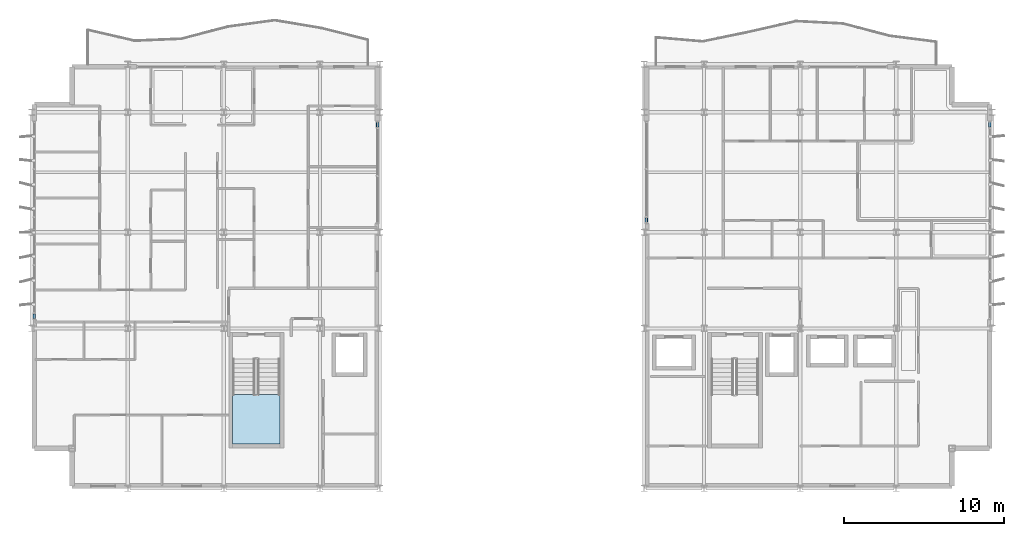
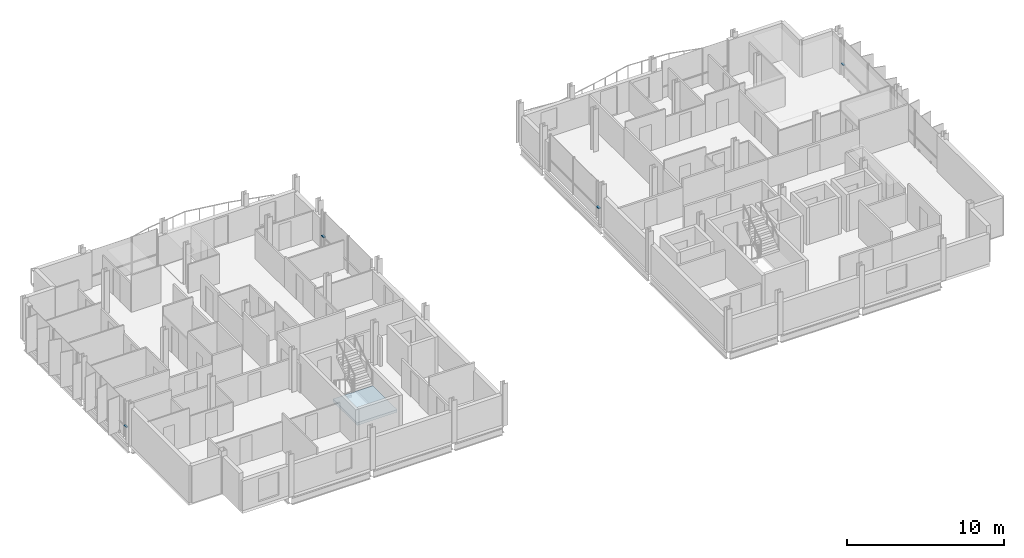
# One storey, part 15 of 30: 4 members, 1 slab, 5 elements without a shape of their own.
"""IFC4 building model written with IfcOpenShell, lengths in metres."""

from ifc_helpers import new_model, si_unit, direction, frame, origin, origin_2d, place, context, subcontext, project, spatial, polyline, hollow_rectangle, outline, extrude, material, layer, layer_set, material_profile, profile_set, type_object, element, aggregate, save


model = new_model("IFC4")

# Units and contexts
model_context = context("Model", 3, precision=1e-05, world=origin(), true_north=direction((0.0, 1.0)))
body_context = subcontext(model_context, "Body", "Model", "MODEL_VIEW")
ifc_project = project(units=[si_unit("LENGTHUNIT", "METRE"), si_unit("AREAUNIT", "SQUARE_METRE"), si_unit("VOLUMEUNIT", "CUBIC_METRE"), si_unit("PLANEANGLEUNIT", "RADIAN"), si_unit("MASSUNIT", "GRAM", prefix="KILO")], contexts=[model_context])

# Site, building, storey
site_placement = place(None, origin())
site = spatial("IfcSite", under=ifc_project, at=site_placement, CompositionType="ELEMENT")
building_placement = place(site_placement, origin())
building = spatial("IfcBuilding", under=site, at=building_placement, Name="Brevholm Reach", CompositionType="ELEMENT")
storey_placement = place(building_placement, frame((0.0, 0.0, 211.10009765625)))
storey = spatial("IfcBuildingStorey", under=building, at=storey_placement, Name="L64", CompositionType="ELEMENT", Elevation=211.10009765625)

# Curtain wall, member
ifc_material_1 = material(Name="Dark Anodised Aluminium 6063-T6 and Solar-Control Glass", Category="aluminium")
ifc_layer_1 = layer(ifc_material_1, 0.14990234375)
ifc_layer_set_1 = layer_set([ifc_layer_1], Name="Dark Anodised Aluminium 6063-T6 and Solar-Control Glass")
curtain_wall_type_1 = type_object("IfcCurtainWallType", Name="CW-01", PredefinedType="NOTDEFINED", material=ifc_layer_set_1)
curtain_wall_1_placement = place(storey_placement, origin())
curtain_wall_1 = element("IfcCurtainWall", 1, at=curtain_wall_1_placement, inside=storey, type_object=curtain_wall_type_1, Name="L64 Curtain Wall CW-01", PredefinedType="NOTDEFINED")
ifc_material_2 = material(Name="Dark Anodised Aluminium 6063-T6", Category="aluminium")
ifc_material_profile_1 = material_profile(ifc_material_2, hollow_rectangle(XDim=0.06494140625, YDim=0.14990234375, WallThickness=0.0048828125, InnerFilletRadius=0.0048828125, OuterFilletRadius=0.010009765625, at=origin_2d()), Name="RHS 150x65x5")
ifc_profile_set_1 = profile_set([ifc_material_profile_1], Name="Dark Anodised Aluminium 6063-T6")
member_type_1 = type_object("IfcMemberType", Name="CWT-150", PredefinedType="NOTDEFINED", material=ifc_profile_set_1)
member_1_placement = place(storey_placement, frame((0.14990234375, 10.91748046875, 0.89990234375), z_axis=(0.0, -1.0, 0.0), x_axis=(0.0, 0.0, 1.0)))
member_1 = element("IfcMember", 2, at=member_1_placement, type_object=member_type_1, Name="CT-150 Transom 5.1", ObjectType="TRANSOM", PredefinedType="USERDEFINED", context=body_context, shape_type="SweptSolid", body=[
    extrude(hollow_rectangle(XDim=0.06494140625, YDim=0.14990234375, WallThickness=0.0048828125, InnerFilletRadius=0.0048828125, OuterFilletRadius=0.010009765625, at=origin_2d()), origin(), (0.0, 0.0, 1.0), 0.302490234375),
])
aggregate(curtain_wall_1, [member_1])

curtain_wall_2_placement = place(storey_placement, origin())
curtain_wall_2 = element("IfcCurtainWall", 3, at=curtain_wall_2_placement, inside=storey, type_object=curtain_wall_type_1, Name="L64 Curtain Wall CW-01", PredefinedType="NOTDEFINED")
member_2_placement = place(storey_placement, frame((59.85009765625, 22.58251953125, 0.89990234375), z_axis=(0.0, 1.0, 0.0), x_axis=(0.0, 0.0, 1.0)))
member_2 = element("IfcMember", 4, at=member_2_placement, type_object=member_type_1, Name="CT-150 Transom 5.1", ObjectType="TRANSOM", PredefinedType="USERDEFINED", context=body_context, shape_type="SweptSolid", body=[
    extrude(hollow_rectangle(XDim=0.06494140625, YDim=0.14990234375, WallThickness=0.0048828125, InnerFilletRadius=0.0048828125, OuterFilletRadius=0.010009765625, at=origin_2d()), origin(), (0.0, 0.0, 1.0), 0.302490234375),
])
aggregate(curtain_wall_2, [member_2])

ifc_material_3 = material(Name="Dark Anodised Aluminium 6063-T6 and Solar-Control Glass", Category="aluminium")
ifc_layer_2 = layer(ifc_material_3, 0.1650390625)
ifc_layer_set_2 = layer_set([ifc_layer_2], Name="Dark Anodised Aluminium 6063-T6 and Solar-Control Glass")
curtain_wall_type_2 = type_object("IfcCurtainWallType", Name="CW-04", PredefinedType="NOTDEFINED", material=ifc_layer_set_2)
curtain_wall_3_placement = place(storey_placement, origin())
curtain_wall_3 = element("IfcCurtainWall", 5, at=curtain_wall_3_placement, inside=storey, type_object=curtain_wall_type_2, Name="L64 Curtain Wall CW-04", PredefinedType="NOTDEFINED")
ifc_material_4 = material(Name="Dark Anodised Aluminium 6063-T6", Category="aluminium")
ifc_material_profile_2 = material_profile(ifc_material_4, hollow_rectangle(XDim=0.070068359375, YDim=0.1650390625, WallThickness=0.0048828125, InnerFilletRadius=0.0048828125, OuterFilletRadius=0.010009765625, at=origin_2d()), Name="RHS 165x70x5")
ifc_profile_set_2 = profile_set([ifc_material_profile_2], Name="Dark Anodised Aluminium 6063-T6")
member_type_2 = type_object("IfcMemberType", Name="CWT-165", PredefinedType="NOTDEFINED", material=ifc_profile_set_2)
member_3_placement = place(storey_placement, frame((21.60009765625, 22.5849609375, 0.89990234375), z_axis=(0.0, 1.0, 0.0), x_axis=(0.0, 0.0, 1.0)))
member_3 = element("IfcMember", 6, at=member_3_placement, type_object=member_type_2, Name="CT-165 Transom 3.1", ObjectType="TRANSOM", PredefinedType="USERDEFINED", context=body_context, shape_type="SweptSolid", body=[
    extrude(hollow_rectangle(XDim=0.070068359375, YDim=0.1650390625, WallThickness=0.0048828125, InnerFilletRadius=0.0048828125, OuterFilletRadius=0.010009765625, at=origin_2d()), origin(), (0.0, 0.0, 1.0), 0.294921875),
])
aggregate(curtain_wall_3, [member_3])

curtain_wall_4_placement = place(storey_placement, origin())
curtain_wall_4 = element("IfcCurtainWall", 7, at=curtain_wall_4_placement, inside=storey, type_object=curtain_wall_type_2, Name="L64 Curtain Wall CW-04", PredefinedType="NOTDEFINED")
member_4_placement = place(storey_placement, frame((38.39990234375, 16.9150390625, 0.89990234375), z_axis=(0.0, -1.0, 0.0), x_axis=(0.0, 0.0, 1.0)))
member_4 = element("IfcMember", 8, at=member_4_placement, type_object=member_type_2, Name="CT-165 Transom 3.1", ObjectType="TRANSOM", PredefinedType="USERDEFINED", context=body_context, shape_type="SweptSolid", body=[
    extrude(hollow_rectangle(XDim=0.070068359375, YDim=0.1650390625, WallThickness=0.0048828125, InnerFilletRadius=0.0048828125, OuterFilletRadius=0.010009765625, at=origin_2d()), origin(), (0.0, 0.0, 1.0), 0.294921875),
])
aggregate(curtain_wall_4, [member_4])

# Stair, slab
ifc_material_5 = material(Name="Precast Concrete C40/50", Category="concrete")
stair_type = type_object("IfcStairType", Name="STR-ESC-1400", PredefinedType="DOUBLE_RETURN_STAIR", material=ifc_material_5)
stair_placement = place(storey_placement, origin())
stair = element("IfcStair", 9, at=stair_placement, inside=storey, type_object=stair_type, Name="L64 ST-1", PredefinedType="DOUBLE_RETURN_STAIR")
ifc_material_6 = material(Name="Concrete C40/50", Category="concrete")
ifc_layer_3 = layer(ifc_material_6, 0.199951171875)
ifc_layer_set_3 = layer_set([ifc_layer_3], Name="Concrete C40/50")
slab_type = type_object("IfcSlabType", Name="SLB-LND-200", PredefinedType="LANDING", material=ifc_layer_set_3)
slab_placement = place(storey_placement, frame((0.0, 0.0, 1.449951171875)))
slab = element("IfcSlab", 10, at=slab_placement, type_object=slab_type, Name="ST-1 landing 1", PredefinedType="LANDING", context=body_context, shape_type="SweptSolid", body=[
    extrude(outline(polyline([(12.550048828125, 5.860107421875), (12.550048828125, 2.780029296875), (15.5, 2.780029296875), (15.5, 5.860107421875), (12.550048828125, 5.860107421875)])), origin(), (0.0, 0.0, 1.0), 0.199951171875),
])
aggregate(stair, [slab])

save(model, "model.ifc")
